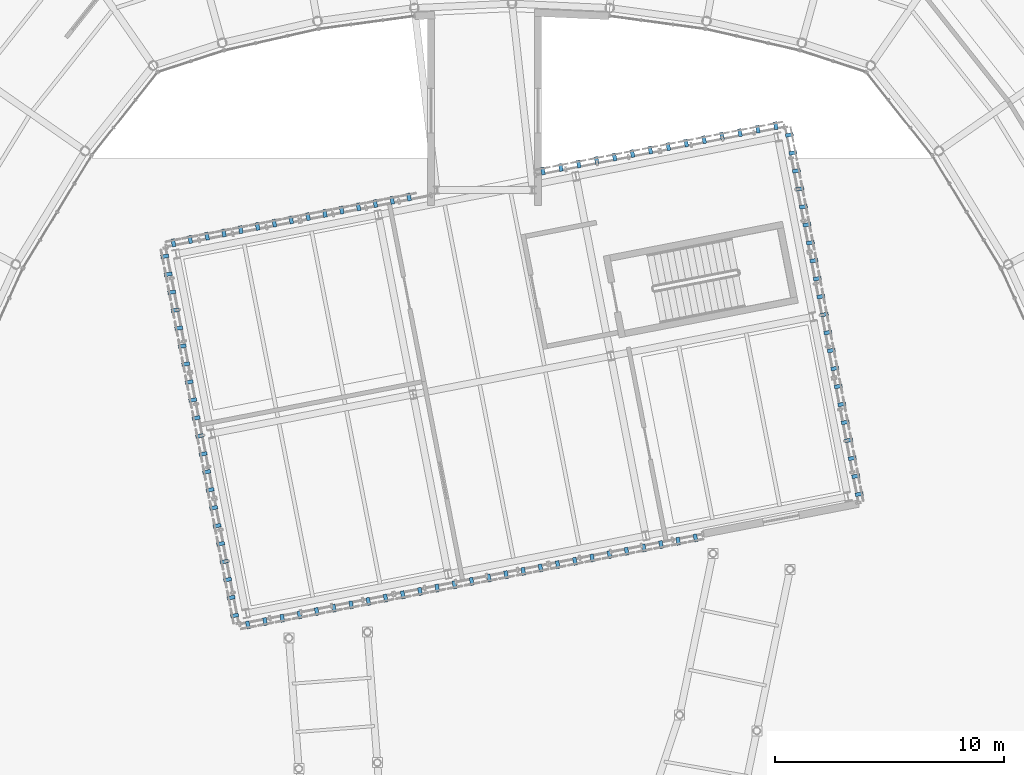
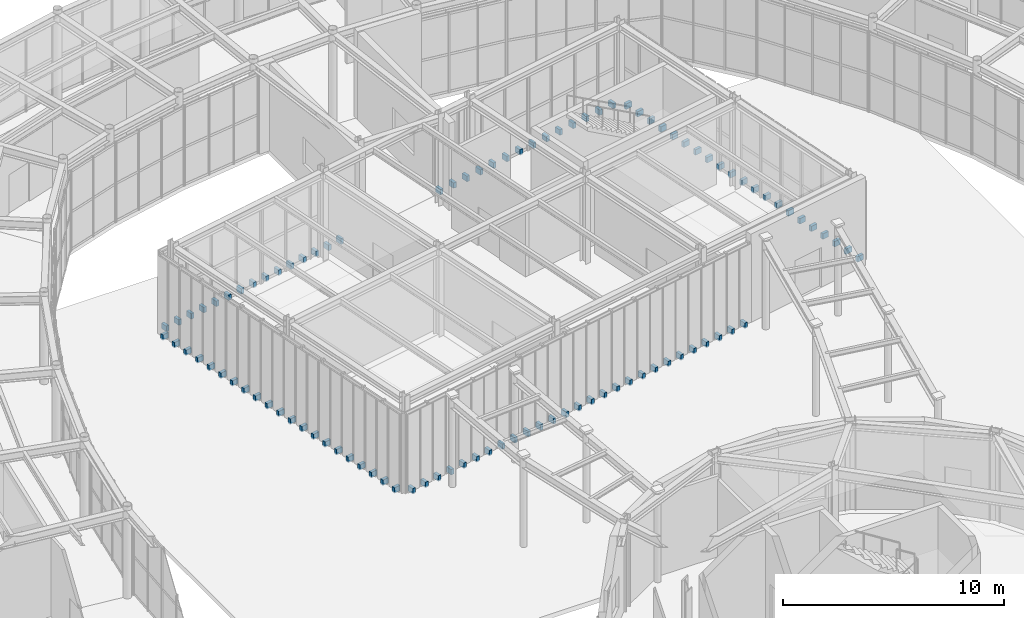
# One storey, part 82 of 97: 98 discrete accessories.
"""IFC4 building model written with IfcOpenShell, lengths in metres."""

from ifc_helpers import new_model, si_unit, direction, frame, origin, origin_2d, place, context, subcontext, project, spatial, rectangle, extrude, material, type_object, element, save


model = new_model("IFC4")

# Units and contexts
model_context = context("Model", 3, precision=1e-05, world=origin(), true_north=direction((0.0, 1.0)))
body_context = subcontext(model_context, "Body", "Model", "MODEL_VIEW")
ifc_project = project(units=[si_unit("LENGTHUNIT", "METRE"), si_unit("AREAUNIT", "SQUARE_METRE"), si_unit("VOLUMEUNIT", "CUBIC_METRE"), si_unit("PLANEANGLEUNIT", "RADIAN"), si_unit("MASSUNIT", "GRAM", prefix="KILO")], contexts=[model_context])

# Site, building, storey
site_placement = place(None, origin())
site = spatial("IfcSite", under=ifc_project, at=site_placement, CompositionType="ELEMENT")
building_placement = place(site_placement, origin())
building = spatial("IfcBuilding", under=site, at=building_placement, Name="Varnklinge Art Gallery", CompositionType="ELEMENT")
storey_placement = place(building_placement, origin())
storey = spatial("IfcBuildingStorey", under=building, at=storey_placement, Name="L00", CompositionType="ELEMENT", Elevation=0.0)

# Discrete accessories
ifc_material = material(Name="Steel S355", Category="steel")
discrete_accessory_type = type_object("IfcDiscreteAccessoryType", Name="BRK-01", PredefinedType="BRACKET", material=ifc_material)
for number, where, z_axis, x_axis, name in (
    (1, (63.95361328125, 61.58642578125, -0.06982421875), (0.0, 0.0, 1.0), (0.981627183448, 0.190808995377, 0.0), "L00 Lattice Outrigger Bracket 1.1.1"),
    (2, (64.706298828125, 61.732666015625, -0.06982421875), (0.0, 0.0, 1.0), (0.981627183448, 0.190808995377, 0.0), "L00 Lattice Outrigger Bracket 1.1.2"),
    (3, (65.458740234375, 61.87890625, -0.06982421875), (0.0, 0.0, 1.0), (0.981627183448, 0.190808995377, 0.0), "L00 Lattice Outrigger Bracket 1.1.3"),
    (4, (66.211181640625, 62.025146484375, -0.06982421875), (0.0, 0.0, 1.0), (0.981627183448, 0.190808995377, 0.0), "L00 Lattice Outrigger Bracket 1.1.4"),
    (5, (66.9638671875, 62.17138671875, -0.06982421875), (0.0, 0.0, 1.0), (0.981627183448, 0.190808995377, 0.0), "L00 Lattice Outrigger Bracket 1.1.5"),
    (6, (67.716552734375, 62.31787109375, -0.06982421875), (0.0, 0.0, 1.0), (0.981627183448, 0.190808995377, 0.0), "L00 Lattice Outrigger Bracket 1.1.6"),
    (7, (68.468994140625, 62.464111328125, -0.06982421875), (0.0, 0.0, 1.0), (0.981627183448, 0.190808995377, 0.0), "L00 Lattice Outrigger Bracket 1.1.7"),
    (8, (69.2216796875, 62.6103515625, -0.06982421875), (0.0, 0.0, 1.0), (0.981627183448, 0.190808995377, 0.0), "L00 Lattice Outrigger Bracket 1.1.8"),
    (9, (69.97412109375, 62.756591796875, -0.06982421875), (0.0, 0.0, 1.0), (0.981627183448, 0.190808995377, 0.0), "L00 Lattice Outrigger Bracket 1.1.9"),
    (10, (70.726806640625, 62.90283203125, -0.06982421875), (0.0, 0.0, 1.0), (0.981627183448, 0.190808995377, 0.0), "L00 Lattice Outrigger Bracket 1.2.1"),
    (11, (71.4794921875, 63.04931640625, -0.06982421875), (0.0, 0.0, 1.0), (0.981627183448, 0.190808995377, 0.0), "L00 Lattice Outrigger Bracket 1.2.2"),
    (12, (72.23193359375, 63.195556640625, -0.06982421875), (0.0, 0.0, 1.0), (0.981627183448, 0.190808995377, 0.0), "L00 Lattice Outrigger Bracket 1.2.3"),
    (13, (72.984619140625, 63.341796875, -0.06982421875), (0.0, 0.0, 1.0), (0.981627183448, 0.190808995377, 0.0), "L00 Lattice Outrigger Bracket 1.2.4"),
    (14, (73.7373046875, 63.488037109375, -0.06982421875), (0.0, 0.0, 1.0), (0.981627183448, 0.190808995377, 0.0), "L00 Lattice Outrigger Bracket 1.2.5"),
    (15, (74.48974609375, 63.634521484375, -0.06982421875), (0.0, 0.0, 1.0), (0.981627183448, 0.190808995377, 0.0), "L00 Lattice Outrigger Bracket 1.2.6"),
    (16, (75.2421875, 63.78076171875, -0.06982421875), (0.0, 0.0, 1.0), (0.981627183448, 0.190808995377, 0.0), "L00 Lattice Outrigger Bracket 1.2.7"),
    (17, (75.994873046875, 63.927001953125, -0.06982421875), (0.0, 0.0, 1.0), (0.981627183448, 0.190808995377, 0.0), "L00 Lattice Outrigger Bracket 1.2.8"),
    (18, (76.74755859375, 64.0732421875, -0.06982421875), (0.0, 0.0, 1.0), (0.981627183448, 0.190808995377, 0.0), "L00 Lattice Outrigger Bracket 1.2.9"),
    (19, (77.5, 64.219482421875, -0.06982421875), (0.0, 0.0, 1.0), (0.981627183448, 0.190808995377, 0.0), "L00 Lattice Outrigger Bracket 1.3.1"),
    (20, (78.252685546875, 64.36572265625, -0.06982421875), (0.0, 0.0, 1.0), (0.981627183448, 0.190808995377, 0.0), "L00 Lattice Outrigger Bracket 1.3.2"),
    (21, (79.005126953125, 64.51220703125, -0.06982421875), (0.0, 0.0, 1.0), (0.981627183448, 0.190808995377, 0.0), "L00 Lattice Outrigger Bracket 1.3.3"),
    (22, (79.7578125, 64.658447265625, -0.06982421875), (0.0, 0.0, 1.0), (0.981627183448, 0.190808995377, 0.0), "L00 Lattice Outrigger Bracket 1.3.4"),
    (23, (80.510498046875, 64.8046875, -0.06982421875), (0.0, 0.0, 1.0), (0.981627183448, 0.190808995377, 0.0), "L00 Lattice Outrigger Bracket 1.3.5"),
    (24, (81.262939453125, 64.950927734375, -0.06982421875), (0.0, 0.0, 1.0), (0.981627183448, 0.190808995377, 0.0), "L00 Lattice Outrigger Bracket 1.3.6"),
    (25, (82.015625, 65.09716796875, -0.06982421875), (0.0, 0.0, 1.0), (0.981627183448, 0.190808995377, 0.0), "L00 Lattice Outrigger Bracket 1.3.7"),
    (26, (82.768310546875, 65.243408203125, -0.06982421875), (0.0, 0.0, 1.0), (0.981627183448, 0.190808995377, 0.0), "L00 Lattice Outrigger Bracket 1.3.8"),
    (27, (83.520751953125, 65.389892578125, -0.06982421875), (0.0, 0.0, 1.0), (0.981627183448, 0.190808995377, 0.0), "L00 Lattice Outrigger Bracket 1.3.9"),
    (28, (90.680908203125, 67.301025390625, -0.06982421875), (0.0, 0.0, 1.0), (-0.190808995377, 0.981627183448, 0.0), "L00 Lattice Outrigger Bracket 2.1.1"),
    (29, (90.5283203125, 68.08642578125, -0.06982421875), (0.0, 0.0, 1.0), (-0.190808995377, 0.981627183448, 0.0), "L00 Lattice Outrigger Bracket 2.1.2"),
    (30, (90.375732421875, 68.87158203125, -0.06982421875), (0.0, 0.0, 1.0), (-0.190808995377, 0.981627183448, 0.0), "L00 Lattice Outrigger Bracket 2.1.3"),
    (31, (90.222900390625, 69.656982421875, -0.06982421875), (0.0, 0.0, 1.0), (-0.190808995377, 0.981627183448, 0.0), "L00 Lattice Outrigger Bracket 2.1.4"),
    (32, (90.0703125, 70.4423828125, -0.06982421875), (0.0, 0.0, 1.0), (-0.190808995377, 0.981627183448, 0.0), "L00 Lattice Outrigger Bracket 2.1.5"),
    (33, (89.917724609375, 71.2275390625, -0.06982421875), (0.0, 0.0, 1.0), (-0.190808995377, 0.981627183448, 0.0), "L00 Lattice Outrigger Bracket 2.1.6"),
    (34, (89.76513671875, 72.012939453125, -0.06982421875), (0.0, 0.0, 1.0), (-0.190808995377, 0.981627183448, 0.0), "L00 Lattice Outrigger Bracket 2.1.7"),
    (35, (89.6123046875, 72.798095703125, -0.06982421875), (0.0, 0.0, 1.0), (-0.190808995377, 0.981627183448, 0.0), "L00 Lattice Outrigger Bracket 2.2.1"),
    (36, (89.459716796875, 73.58349609375, -0.06982421875), (0.0, 0.0, 1.0), (-0.190808995377, 0.981627183448, 0.0), "L00 Lattice Outrigger Bracket 2.2.2"),
    (37, (89.30712890625, 74.368896484375, -0.06982421875), (0.0, 0.0, 1.0), (-0.190808995377, 0.981627183448, 0.0), "L00 Lattice Outrigger Bracket 2.2.3"),
    (38, (89.154541015625, 75.154052734375, -0.06982421875), (0.0, 0.0, 1.0), (-0.190808995377, 0.981627183448, 0.0), "L00 Lattice Outrigger Bracket 2.2.4"),
    (39, (89.001708984375, 75.939453125, -0.06982421875), (0.0, 0.0, 1.0), (-0.190808995377, 0.981627183448, 0.0), "L00 Lattice Outrigger Bracket 2.2.5"),
    (40, (88.84912109375, 76.724609375, -0.06982421875), (0.0, 0.0, 1.0), (-0.190808995377, 0.981627183448, 0.0), "L00 Lattice Outrigger Bracket 2.2.6"),
    (41, (88.696533203125, 77.510009765625, -0.06982421875), (0.0, 0.0, 1.0), (-0.190808995377, 0.981627183448, 0.0), "L00 Lattice Outrigger Bracket 2.2.7"),
    (42, (88.5439453125, 78.29541015625, -0.06982421875), (0.0, 0.0, 1.0), (-0.190808995377, 0.981627183448, 0.0), "L00 Lattice Outrigger Bracket 2.3.1"),
    (43, (88.39111328125, 79.08056640625, -0.06982421875), (0.0, 0.0, 1.0), (-0.190808995377, 0.981627183448, 0.0), "L00 Lattice Outrigger Bracket 2.3.2"),
    (44, (88.238525390625, 79.865966796875, -0.06982421875), (0.0, 0.0, 1.0), (-0.190808995377, 0.981627183448, 0.0), "L00 Lattice Outrigger Bracket 2.3.3"),
    (45, (88.0859375, 80.651123046875, -0.06982421875), (0.0, 0.0, 1.0), (-0.190808995377, 0.981627183448, 0.0), "L00 Lattice Outrigger Bracket 2.3.4"),
    (46, (87.933349609375, 81.4365234375, -0.06982421875), (0.0, 0.0, 1.0), (-0.190808995377, 0.981627183448, 0.0), "L00 Lattice Outrigger Bracket 2.3.5"),
    (47, (87.78076171875, 82.2216796875, -0.06982421875), (0.0, 0.0, 1.0), (-0.190808995377, 0.981627183448, 0.0), "L00 Lattice Outrigger Bracket 2.3.6"),
    (48, (87.6279296875, 83.007080078125, -0.06982421875), (0.0, 0.0, 1.0), (-0.190808995377, 0.981627183448, 0.0), "L00 Lattice Outrigger Bracket 2.3.7"),
    (49, (87.03125, 83.41064453125, -0.06982421875), (0.0, 0.0, 1.0), (-0.981627183448, -0.190808995377, 0.0), "L00 Lattice Outrigger Bracket 3.1.1"),
    (50, (86.248046875, 83.25830078125, -0.06982421875), (0.0, 0.0, 1.0), (-0.981627183448, -0.190808995377, 0.0), "L00 Lattice Outrigger Bracket 3.1.2"),
    (51, (85.46484375, 83.106201171875, -0.06982421875), (0.0, 0.0, 1.0), (-0.981627183448, -0.190808995377, 0.0), "L00 Lattice Outrigger Bracket 3.1.3"),
    (52, (84.681884765625, 82.9541015625, -0.06982421875), (0.0, 0.0, 1.0), (-0.981627183448, -0.190808995377, 0.0), "L00 Lattice Outrigger Bracket 3.1.4"),
    (53, (83.898681640625, 82.8017578125, -0.06982421875), (0.0, 0.0, 1.0), (-0.981627183448, -0.190808995377, 0.0), "L00 Lattice Outrigger Bracket 3.1.5"),
    (54, (83.115478515625, 82.649658203125, -0.06982421875), (0.0, 0.0, 1.0), (-0.981627183448, -0.190808995377, 0.0), "L00 Lattice Outrigger Bracket 3.1.6"),
    (55, (82.33251953125, 82.497314453125, -0.06982421875), (0.0, 0.0, 1.0), (-0.981627183448, -0.190808995377, 0.0), "L00 Lattice Outrigger Bracket 3.1.7"),
    (56, (81.54931640625, 82.34521484375, -0.06982421875), (0.0, 0.0, 1.0), (-0.981627183448, -0.190808995377, 0.0), "L00 Lattice Outrigger Bracket 3.2.1"),
    (57, (80.76611328125, 82.19287109375, -0.06982421875), (0.0, 0.0, 1.0), (-0.981627183448, -0.190808995377, 0.0), "L00 Lattice Outrigger Bracket 3.2.2"),
    (58, (79.983154296875, 82.040771484375, -0.06982421875), (0.0, 0.0, 1.0), (-0.981627183448, -0.190808995377, 0.0), "L00 Lattice Outrigger Bracket 3.2.3"),
    (59, (79.199951171875, 81.888427734375, -0.06982421875), (0.0, 0.0, 1.0), (-0.981627183448, -0.190808995377, 0.0), "L00 Lattice Outrigger Bracket 3.2.4"),
    (60, (78.416748046875, 81.736083984375, -0.06982421875), (0.0, 0.0, 1.0), (-0.981627183448, -0.190808995377, 0.0), "L00 Lattice Outrigger Bracket 3.2.5"),
    (61, (77.6337890625, 81.583984375, -0.06982421875), (0.0, 0.0, 1.0), (-0.981627183448, -0.190808995377, 0.0), "L00 Lattice Outrigger Bracket 3.2.6"),
    (62, (76.8505859375, 81.431884765625, -0.06982421875), (0.0, 0.0, 1.0), (-0.981627183448, -0.190808995377, 0.0), "L00 Lattice Outrigger Bracket 3.2.7"),
    (63, (70.99560546875, 80.293701171875, -0.06982421875), (0.0, 0.0, 1.0), (-0.981627183448, -0.190808995377, 0.0), "L00 Lattice Outrigger Bracket 3.1.2"),
    (64, (70.260009765625, 80.150634765625, -0.06982421875), (0.0, 0.0, 1.0), (-0.981627183448, -0.190808995377, 0.0), "L00 Lattice Outrigger Bracket 3.1.3"),
    (65, (69.5244140625, 80.0078125, -0.06982421875), (0.0, 0.0, 1.0), (-0.981627183448, -0.190808995377, 0.0), "L00 Lattice Outrigger Bracket 3.1.4"),
    (66, (68.788818359375, 79.86474609375, -0.06982421875), (0.0, 0.0, 1.0), (-0.981627183448, -0.190808995377, 0.0), "L00 Lattice Outrigger Bracket 3.1.5"),
    (67, (68.05322265625, 79.7216796875, -0.06982421875), (0.0, 0.0, 1.0), (-0.981627183448, -0.190808995377, 0.0), "L00 Lattice Outrigger Bracket 3.1.6"),
    (68, (67.317626953125, 79.578857421875, -0.06982421875), (0.0, 0.0, 1.0), (-0.981627183448, -0.190808995377, 0.0), "L00 Lattice Outrigger Bracket 3.1.7"),
    (69, (66.582275390625, 79.435791015625, -0.06982421875), (0.0, 0.0, 1.0), (-0.981627183448, -0.190808995377, 0.0), "L00 Lattice Outrigger Bracket 3.1.8"),
    (70, (65.8466796875, 79.292724609375, -0.06982421875), (0.0, 0.0, 1.0), (-0.981627183448, -0.190808995377, 0.0), "L00 Lattice Outrigger Bracket 3.2.1"),
    (71, (65.111083984375, 79.14990234375, -0.06982421875), (0.0, 0.0, 1.0), (-0.981627183448, -0.190808995377, 0.0), "L00 Lattice Outrigger Bracket 3.2.2"),
    (72, (64.37548828125, 79.0068359375, -0.06982421875), (0.0, 0.0, 1.0), (-0.981627183448, -0.190808995377, 0.0), "L00 Lattice Outrigger Bracket 3.2.3"),
    (73, (63.639892578125, 78.864013671875, -0.06982421875), (0.0, 0.0, 1.0), (-0.981627183448, -0.190808995377, 0.0), "L00 Lattice Outrigger Bracket 3.2.4"),
    (74, (62.904296875, 78.720947265625, -0.06982421875), (0.0, 0.0, 1.0), (-0.981627183448, -0.190808995377, 0.0), "L00 Lattice Outrigger Bracket 3.2.5"),
    (75, (62.168701171875, 78.577880859375, -0.06982421875), (0.0, 0.0, 1.0), (-0.981627183448, -0.190808995377, 0.0), "L00 Lattice Outrigger Bracket 3.2.6"),
    (76, (61.43310546875, 78.43505859375, -0.06982421875), (0.0, 0.0, 1.0), (-0.981627183448, -0.190808995377, 0.0), "L00 Lattice Outrigger Bracket 3.2.7"),
    (77, (60.697509765625, 78.2919921875, -0.06982421875), (0.0, 0.0, 1.0), (-0.981627183448, -0.190808995377, 0.0), "L00 Lattice Outrigger Bracket 3.2.8"),
    (78, (60.319091796875, 77.698974609375, -0.06982421875), (0.0, 0.0, 1.0), (0.190808995377, -0.981627183448, 0.0), "L00 Lattice Outrigger Bracket 4.1.1"),
    (79, (60.4716796875, 76.91357421875, -0.06982421875), (0.0, 0.0, 1.0), (0.190808995377, -0.981627183448, 0.0), "L00 Lattice Outrigger Bracket 4.1.2"),
    (80, (60.624267578125, 76.12841796875, -0.06982421875), (0.0, 0.0, 1.0), (0.190808995377, -0.981627183448, 0.0), "L00 Lattice Outrigger Bracket 4.1.3"),
    (81, (60.777099609375, 75.343017578125, -0.06982421875), (0.0, 0.0, 1.0), (0.190808995377, -0.981627183448, 0.0), "L00 Lattice Outrigger Bracket 4.1.4"),
    (82, (60.9296875, 74.5576171875, -0.06982421875), (0.0, 0.0, 1.0), (0.190808995377, -0.981627183448, 0.0), "L00 Lattice Outrigger Bracket 4.1.5"),
    (83, (61.082275390625, 73.7724609375, -0.06982421875), (0.0, 0.0, 1.0), (0.190808995377, -0.981627183448, 0.0), "L00 Lattice Outrigger Bracket 4.1.6"),
    (84, (61.23486328125, 72.987060546875, -0.06982421875), (0.0, 0.0, 1.0), (0.190808995377, -0.981627183448, 0.0), "L00 Lattice Outrigger Bracket 4.1.7"),
    (85, (61.3876953125, 72.201904296875, -0.06982421875), (0.0, 0.0, 1.0), (0.190808995377, -0.981627183448, 0.0), "L00 Lattice Outrigger Bracket 4.2.1"),
    (86, (61.540283203125, 71.41650390625, -0.06982421875), (0.0, 0.0, 1.0), (0.190808995377, -0.981627183448, 0.0), "L00 Lattice Outrigger Bracket 4.2.2"),
    (87, (61.69287109375, 70.631103515625, -0.06982421875), (0.0, 0.0, 1.0), (0.190808995377, -0.981627183448, 0.0), "L00 Lattice Outrigger Bracket 4.2.3"),
    (88, (61.845458984375, 69.845947265625, -0.06982421875), (0.0, 0.0, 1.0), (0.190808995377, -0.981627183448, 0.0), "L00 Lattice Outrigger Bracket 4.2.4"),
    (89, (61.998291015625, 69.060546875, -0.06982421875), (0.0, 0.0, 1.0), (0.190808995377, -0.981627183448, 0.0), "L00 Lattice Outrigger Bracket 4.2.5"),
    (90, (62.15087890625, 68.275390625, -0.06982421875), (0.0, 0.0, 1.0), (0.190808995377, -0.981627183448, 0.0), "L00 Lattice Outrigger Bracket 4.2.6"),
    (91, (62.303466796875, 67.489990234375, -0.06982421875), (0.0, 0.0, 1.0), (0.190808995377, -0.981627183448, 0.0), "L00 Lattice Outrigger Bracket 4.2.7"),
    (92, (62.4560546875, 66.70458984375, -0.06982421875), (0.0, 0.0, 1.0), (0.190808995377, -0.981627183448, 0.0), "L00 Lattice Outrigger Bracket 4.3.1"),
    (93, (62.60888671875, 65.91943359375, -0.06982421875), (0.0, 0.0, 1.0), (0.190808995377, -0.981627183448, 0.0), "L00 Lattice Outrigger Bracket 4.3.2"),
    (94, (62.761474609375, 65.134033203125, -0.06982421875), (0.0, 0.0, 1.0), (0.190808995377, -0.981627183448, 0.0), "L00 Lattice Outrigger Bracket 4.3.3"),
    (95, (62.9140625, 64.348876953125, -0.06982421875), (0.0, 0.0, 1.0), (0.190808995377, -0.981627183448, 0.0), "L00 Lattice Outrigger Bracket 4.3.4"),
    (96, (63.066650390625, 63.5634765625, -0.06982421875), (0.0, 0.0, 1.0), (0.190808995377, -0.981627183448, 0.0), "L00 Lattice Outrigger Bracket 4.3.5"),
    (97, (63.21923828125, 62.7783203125, -0.06982421875), (0.0, 0.0, 1.0), (0.190808995377, -0.981627183448, 0.0), "L00 Lattice Outrigger Bracket 4.3.6"),
    (98, (63.3720703125, 61.992919921875, -0.06982421875), (0.0, 0.0, 1.0), (0.190808995377, -0.981627183448, 0.0), "L00 Lattice Outrigger Bracket 4.3.7"),
):
    element("IfcDiscreteAccessory", number, at=place(storey_placement, frame(where, z_axis=z_axis, x_axis=x_axis)), inside=storey, type_object=discrete_accessory_type, Name=name, PredefinedType="BRACKET", context=body_context, shape_type="SweptSolid", body=[
        extrude(rectangle(XDim=0.159912109375, YDim=0.340087890625, at=origin_2d()), origin(), (0.0, 0.0, 1.0), 0.300048828125),
    ])

save(model, "model.ifc")
